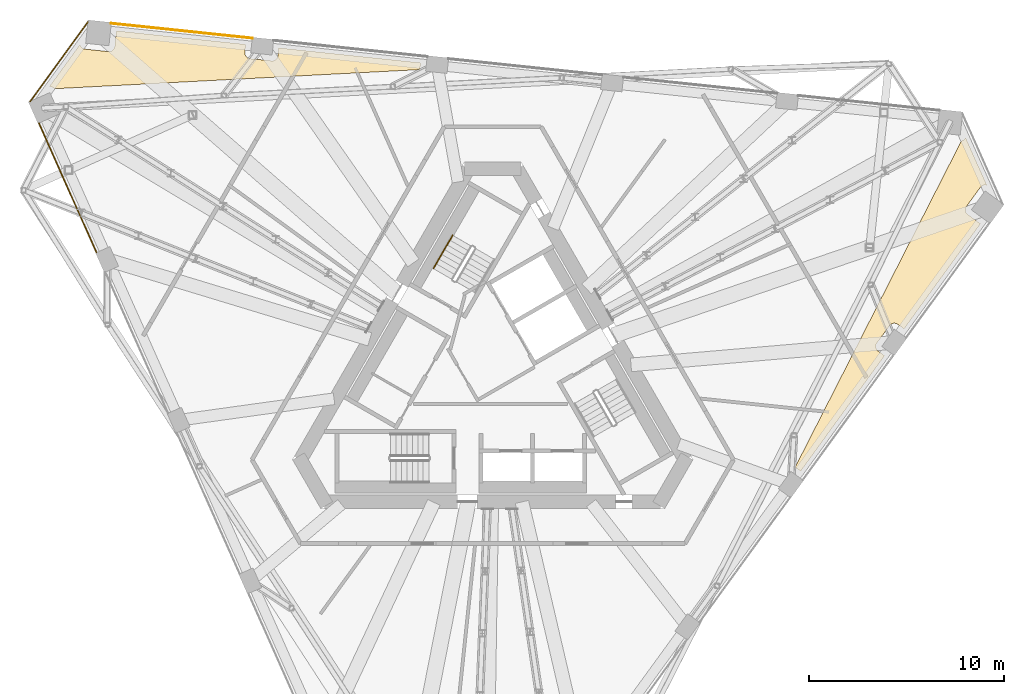
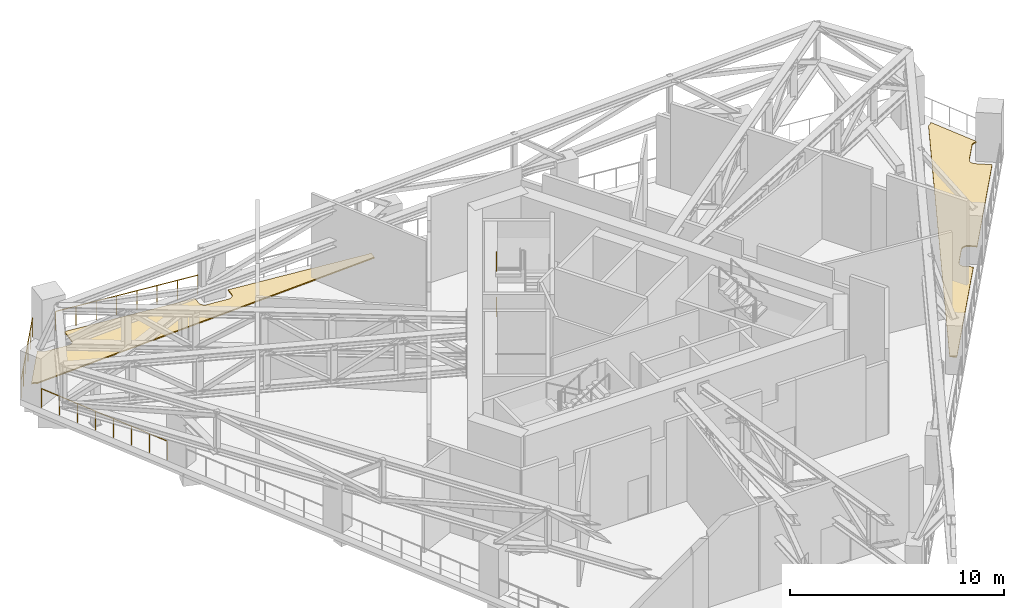
# One storey, part 18 of 20: 5 railings, 4 coverings.
"""IFC4 building model written with IfcOpenShell, lengths in metres."""

from ifc_helpers import new_model, si_unit, direction, frame, origin, origin_2d, place, context, subcontext, project, spatial, polyline, circle, outline, extrude, material, layer, layer_set, type_object, element, save


model = new_model("IFC4")

# Units and contexts
model_context = context("Model", 3, precision=1e-05, world=origin(), true_north=direction((0.0, 1.0)))
body_context = subcontext(model_context, "Body", "Model", "MODEL_VIEW")
ifc_project = project(units=[si_unit("LENGTHUNIT", "METRE"), si_unit("AREAUNIT", "SQUARE_METRE"), si_unit("VOLUMEUNIT", "CUBIC_METRE"), si_unit("PLANEANGLEUNIT", "RADIAN"), si_unit("MASSUNIT", "GRAM", prefix="KILO")], contexts=[model_context])

# Site, building, storey
site_placement = place(None, origin())
site = spatial("IfcSite", under=ifc_project, at=site_placement, CompositionType="ELEMENT")
building_placement = place(site_placement, origin())
building = spatial("IfcBuilding", under=site, at=building_placement, Name="Tramontana Tower", CompositionType="ELEMENT")
storey_placement = place(building_placement, frame((0.0, 0.0, 269.199951171875)))
storey = spatial("IfcBuildingStorey", under=building, at=storey_placement, Name="L63", CompositionType="ELEMENT", Elevation=269.199951171875)

# Railings
ifc_material_1 = material(Name="Stainless steel rail and posts", Category="steel")
railing_type_1 = type_object("IfcRailingType", Name="GD2 Terrace guard 1100", PredefinedType="GUARDRAIL", material=ifc_material_1)
railing_1_placement = place(storey_placement, frame((-20.731201171875, 18.16650390625, 0.0)))
element("IfcRailing", 1, at=railing_1_placement, inside=storey, type_object=railing_type_1, Name="Edge guard L63 1", PredefinedType="GUARDRAIL", context=body_context, shape_type="SweptSolid", body=[
    extrude(circle(Radius=0.02392578125, at=origin_2d()), frame((0.0, 0.0, 1.076171875), z_axis=(-0.587807507885, -0.809000824273, 0.0), x_axis=(0.809000824273, -0.587807507885, 0.0)), (0.0, 0.0, 1.0), 5.023193359375),
    extrude(circle(Radius=0.02099609375, at=origin_2d()), origin(), (0.0, 0.0, 1.0), 1.052001953125),
    extrude(circle(Radius=0.02099609375, at=origin_2d()), frame((-0.590576171875, -0.812744140625, 0.0)), (0.0, 0.0, 1.0), 1.052001953125),
    extrude(circle(Radius=0.02099609375, at=origin_2d()), frame((-1.18115234375, -1.62548828125, 0.0)), (0.0, 0.0, 1.0), 1.052001953125),
    extrude(circle(Radius=0.02099609375, at=origin_2d()), frame((-1.771484375, -2.438232421875, 0.0)), (0.0, 0.0, 1.0), 1.052001953125),
    extrude(circle(Radius=0.02099609375, at=origin_2d()), frame((-2.362060546875, -3.2509765625, 0.0)), (0.0, 0.0, 1.0), 1.052001953125),
    extrude(circle(Radius=0.02099609375, at=origin_2d()), frame((-2.95263671875, -4.063720703125, 0.0)), (0.0, 0.0, 1.0), 1.052001953125),
])
railing_2_placement = place(storey_placement, frame((-23.2412109375, 12.986328125, 0.0)))
element("IfcRailing", 2, at=railing_2_placement, inside=storey, type_object=railing_type_1, Name="Edge guard L63 2", PredefinedType="GUARDRAIL", context=body_context, shape_type="SweptSolid", body=[
    extrude(circle(Radius=0.02392578125, at=origin_2d()), frame((0.0, 0.0, 1.076171875), z_axis=(0.406715873332, -0.913554704645, 0.0), x_axis=(0.913554704645, 0.406715873332, 0.0)), (0.0, 0.0, 1.0), 7.256591796875),
    extrude(circle(Radius=0.02099609375, at=origin_2d()), origin(), (0.0, 0.0, 1.0), 1.052001953125),
    extrude(circle(Radius=0.02099609375, at=origin_2d()), frame((0.421630859375, -0.947021484375, 0.0)), (0.0, 0.0, 1.0), 1.052001953125),
    extrude(circle(Radius=0.02099609375, at=origin_2d()), frame((0.84326171875, -1.89404296875, 0.0)), (0.0, 0.0, 1.0), 1.052001953125),
    extrude(circle(Radius=0.02099609375, at=origin_2d()), frame((1.264892578125, -2.841064453125, 0.0)), (0.0, 0.0, 1.0), 1.052001953125),
    extrude(circle(Radius=0.02099609375, at=origin_2d()), frame((1.6865234375, -3.788330078125, 0.0)), (0.0, 0.0, 1.0), 1.052001953125),
    extrude(circle(Radius=0.02099609375, at=origin_2d()), frame((2.108154296875, -4.7353515625, 0.0)), (0.0, 0.0, 1.0), 1.052001953125),
    extrude(circle(Radius=0.02099609375, at=origin_2d()), frame((2.52978515625, -5.682373046875, 0.0)), (0.0, 0.0, 1.0), 1.052001953125),
    extrude(circle(Radius=0.02099609375, at=origin_2d()), frame((2.951416015625, -6.62939453125, 0.0)), (0.0, 0.0, 1.0), 1.052001953125),
])
railing_3_placement = place(storey_placement, frame((-12.315673828125, 17.332275390625, 0.0)))
element("IfcRailing", 3, at=railing_3_placement, inside=storey, type_object=railing_type_1, Name="Edge guard L63 4", PredefinedType="GUARDRAIL", context=body_context, shape_type="SweptSolid", body=[
    extrude(circle(Radius=0.02392578125, at=origin_2d()), frame((0.0, 0.0, 1.076171875), z_axis=(-0.994521847449, 0.104528919185, 0.0), x_axis=(-0.104528919185, -0.994521847449, 0.0)), (0.0, 0.0, 1.0), 7.2568359375),
    extrude(circle(Radius=0.02099609375, at=origin_2d()), origin(), (0.0, 0.0, 1.0), 1.052001953125),
    extrude(circle(Radius=0.02099609375, at=origin_2d()), frame((-1.031005859375, 0.1083984375, 0.0)), (0.0, 0.0, 1.0), 1.052001953125),
    extrude(circle(Radius=0.02099609375, at=origin_2d()), frame((-2.06201171875, 0.216796875, 0.0)), (0.0, 0.0, 1.0), 1.052001953125),
    extrude(circle(Radius=0.02099609375, at=origin_2d()), frame((-3.093017578125, 0.3251953125, 0.0)), (0.0, 0.0, 1.0), 1.052001953125),
    extrude(circle(Radius=0.02099609375, at=origin_2d()), frame((-4.1240234375, 0.433349609375, 0.0)), (0.0, 0.0, 1.0), 1.052001953125),
    extrude(circle(Radius=0.02099609375, at=origin_2d()), frame((-5.155029296875, 0.541748046875, 0.0)), (0.0, 0.0, 1.0), 1.052001953125),
    extrude(circle(Radius=0.02099609375, at=origin_2d()), frame((-6.18603515625, 0.650146484375, 0.0)), (0.0, 0.0, 1.0), 1.052001953125),
    extrude(circle(Radius=0.02099609375, at=origin_2d()), frame((-7.217041015625, 0.758544921875, 0.0)), (0.0, 0.0, 1.0), 1.052001953125),
])

# Coverings
ifc_material_2 = material(Name="Limestone paving 60", Category="masonry")
ifc_layer_1 = layer(ifc_material_2, 0.06005859375)
ifc_layer_set_1 = layer_set([ifc_layer_1], Name="PV1 Terrace paving 60")
covering_type_1 = type_object("IfcCoveringType", Name="PV1 Terrace paving 60", PredefinedType="FLOORING", material=ifc_layer_set_1)
covering_1_placement = place(storey_placement, frame((0.0, 0.0, 0.010009765625)))
element("IfcCovering", 4, at=covering_1_placement, inside=storey, type_object=covering_type_1, Name="Terrace paving L63 1", PredefinedType="FLOORING", context=body_context, shape_type="SweptSolid", body=[
    extrude(outline(polyline([(-21.139404296875, 17.009521484375), (-21.134033203125, 16.9873046875), (-21.124267578125, 16.95947265625), (-21.11181640625, 16.932861328125), (-21.096923828125, 16.907470703125), (-21.079345703125, 16.8837890625), (-21.059814453125, 16.86181640625), (-21.0380859375, 16.841796875), (-21.0146484375, 16.82421875), (-20.989501953125, 16.808837890625), (-20.962890625, 16.796142578125), (-20.935302734375, 16.7861328125), (-20.90673828125, 16.77880859375), (-20.877685546875, 16.774169921875), (-19.684326171875, 16.648681640625), (-19.65478515625, 16.647216796875), (-19.62548828125, 16.6484375), (-19.59619140625, 16.652587890625), (-19.567626953125, 16.659423828125), (-19.539794921875, 16.669189453125), (-19.51318359375, 16.681640625), (-19.48779296875, 16.696533203125), (-19.464111328125, 16.7138671875), (-19.442138671875, 16.733642578125), (-19.422119140625, 16.75537109375), (-19.404541015625, 16.77880859375), (-19.38916015625, 16.803955078125), (-19.37646484375, 16.83056640625), (-19.366455078125, 16.858154296875), (-19.359130859375, 16.88671875), (-19.3544921875, 16.915771484375), (-19.27099609375, 17.71142578125), (-12.650634765625, 17.015625), (-12.6923828125, 16.61767578125), (-12.694091796875, 16.58837890625), (-12.69287109375, 16.558837890625), (-12.688720703125, 16.52978515625), (-12.681884765625, 16.501220703125), (-12.672119140625, 16.473388671875), (-12.65966796875, 16.44677734375), (-12.644775390625, 16.42138671875), (-12.627197265625, 16.397705078125), (-12.607666015625, 16.375732421875), (-12.5859375, 16.355712890625), (-12.5625, 16.338134765625), (-12.537353515625, 16.32275390625), (-12.5107421875, 16.31005859375), (-12.483154296875, 16.2998046875), (-12.45458984375, 16.29248046875), (-12.425537109375, 16.2880859375), (-11.33154296875, 16.173095703125), (-11.30224609375, 16.17138671875), (-11.272705078125, 16.172607421875), (-11.24365234375, 16.1767578125), (-11.21484375, 16.183837890625), (-11.187255859375, 16.193603515625), (-11.160400390625, 16.205810546875), (-11.13525390625, 16.220947265625), (-11.111328125, 16.23828125), (-11.08935546875, 16.2578125), (-11.069580078125, 16.279541015625), (-11.0517578125, 16.30322265625), (-11.03662109375, 16.328369140625), (-11.023681640625, 16.354736328125), (-11.013671875, 16.382568359375), (-11.00634765625, 16.410888671875), (-11.001708984375, 16.43994140625), (-10.9599609375, 16.837890625), (-3.693359375, 16.07421875), (-3.72998046875, 15.726318359375), (-22.450927734375, 14.7451171875), (-22.451904296875, 14.74658203125), (-22.472412109375, 14.767822265625), (-22.49462890625, 14.787109375), (-22.518798828125, 14.803955078125), (-22.54443359375, 14.818359375), (-22.5712890625, 14.830322265625), (-22.599365234375, 14.839599609375), (-22.6279296875, 14.845947265625), (-22.6572265625, 14.849609375), (-22.686767578125, 14.85009765625), (-22.70947265625, 14.848388671875), (-21.139404296875, 17.009521484375)])), origin(), (0.0, 0.0, 1.0), 0.06005859375),
])
covering_2_placement = place(storey_placement, frame((0.0, 0.0, 0.010009765625)))
element("IfcCovering", 5, at=covering_2_placement, inside=storey, type_object=covering_type_1, Name="Terrace paving L63 3", PredefinedType="FLOORING", context=body_context, shape_type="SweptSolid", body=[
    extrude(outline(polyline([(25.30029296875, 9.802490234375), (25.278564453125, 9.808837890625), (25.24951171875, 9.814208984375), (25.22021484375, 9.81689453125), (25.190673828125, 9.816650390625), (25.161376953125, 9.8134765625), (25.132568359375, 9.807373046875), (25.1044921875, 9.798583984375), (25.077392578125, 9.787109375), (25.0517578125, 9.77294921875), (25.02734375, 9.75634765625), (25.0048828125, 9.737548828125), (24.984130859375, 9.71630859375), (24.9658203125, 9.693359375), (24.26025390625, 8.72265625), (24.244140625, 8.697998046875), (24.230712890625, 8.671875), (24.2197265625, 8.64453125), (24.21142578125, 8.616455078125), (24.205810546875, 8.58740234375), (24.203369140625, 8.55810546875), (24.20361328125, 8.528564453125), (24.206787109375, 8.499267578125), (24.212890625, 8.470458984375), (24.2216796875, 8.4423828125), (24.233154296875, 8.415283203125), (24.247314453125, 8.3896484375), (24.263916015625, 8.365234375), (24.28271484375, 8.3427734375), (24.3037109375, 8.322021484375), (24.32666015625, 8.3037109375), (24.973876953125, 7.83349609375), (21.061279296875, 2.447998046875), (20.737548828125, 2.68310546875), (20.713134765625, 2.69921875), (20.68701171875, 2.712890625), (20.65966796875, 2.723876953125), (20.63134765625, 2.732177734375), (20.6025390625, 2.737548828125), (20.572998046875, 2.740234375), (20.543701171875, 2.739990234375), (20.514404296875, 2.73681640625), (20.485595703125, 2.730712890625), (20.45751953125, 2.721923828125), (20.430419921875, 2.71044921875), (20.404541015625, 2.6962890625), (20.38037109375, 2.6796875), (20.357666015625, 2.66064453125), (20.337158203125, 2.6396484375), (20.318603515625, 2.61669921875), (19.672119140625, 1.726806640625), (19.656005859375, 1.7021484375), (19.642333984375, 1.676025390625), (19.63134765625, 1.64892578125), (19.623046875, 1.62060546875), (19.61767578125, 1.591552734375), (19.614990234375, 1.562255859375), (19.615234375, 1.532958984375), (19.618408203125, 1.503662109375), (19.62451171875, 1.474853515625), (19.63330078125, 1.44677734375), (19.644775390625, 1.419677734375), (19.658935546875, 1.393798828125), (19.675537109375, 1.369384765625), (19.6943359375, 1.346923828125), (19.715576171875, 1.326171875), (19.738525390625, 1.307861328125), (20.06201171875, 1.07275390625), (15.767333984375, -4.838623046875), (15.484375, -4.633056640625), (23.9951171875, 12.0703125), (23.996826171875, 12.07080078125), (24.025634765625, 12.07763671875), (24.05322265625, 12.08740234375), (24.080078125, 12.099853515625), (24.10546875, 12.11474609375), (24.129150390625, 12.132080078125), (24.151123046875, 12.15185546875), (24.1708984375, 12.17333984375), (24.188720703125, 12.197021484375), (24.203857421875, 12.22216796875), (24.2138671875, 12.24267578125), (25.30029296875, 9.802490234375)])), origin(), (0.0, 0.0, 1.0), 0.06005859375),
])

# Railings
ifc_material_3 = material(Name="Painted steel", Category="steel")
railing_type_2 = type_object("IfcRailingType", Name="STAIR HANDRAIL 900", PredefinedType="HANDRAIL", material=ifc_material_3)
for number, where, name in (
    (6, (-2.056640625, 7.238037109375, 1.462646484375), "L63 ST1 stair handrail 2"),
    (7, (-2.056640625, 7.238037109375, 4.0625), "L63 ST1 stair handrail 4"),
):
    element("IfcRailing", number, at=place(storey_placement, frame(where)), inside=storey, type_object=railing_type_2, Name=name, PredefinedType="HANDRAIL", context=body_context, shape_type="SweptSolid", body=[
        extrude(circle(Radius=0.02392578125, at=origin_2d()), frame((0.0, 0.0, 0.8759765625), z_axis=(-0.432431929651, -0.749053115811, 0.501918375746), x_axis=(0.866042469362, -0.499970440388, 0.0)), (0.0, 0.0, 1.0), 2.26611328125),
        extrude(circle(Radius=0.02099609375, at=origin_2d()), origin(), (0.0, 0.0, 1.0), 0.851806640625),
        extrude(circle(Radius=0.02099609375, at=origin_2d()), frame((-0.489990234375, -0.8486328125, 0.56884765625)), (0.0, 0.0, 1.0), 0.851806640625),
        extrude(circle(Radius=0.02099609375, at=origin_2d()), frame((-0.97998046875, -1.697509765625, 1.137451171875)), (0.0, 0.0, 1.0), 0.851806640625),
    ])

# Coverings
ifc_material_4 = material(Name="Bituminous waterproofing membrane")
ifc_layer_2 = layer(ifc_material_4, 0.010009765625)
ifc_layer_set_2 = layer_set([ifc_layer_2], Name="WP1 Terrace waterproofing membrane 10")
covering_type_2 = type_object("IfcCoveringType", Name="WP1 Terrace waterproofing membrane 10", PredefinedType="MEMBRANE", material=ifc_layer_set_2)
covering_3_placement = place(storey_placement, origin())
element("IfcCovering", 8, at=covering_3_placement, inside=storey, type_object=covering_type_2, Name="Terrace membrane L63 1", PredefinedType="MEMBRANE", context=body_context, shape_type="SweptSolid", body=[
    extrude(outline(polyline([(-21.139404296875, 17.009521484375), (-21.134033203125, 16.9873046875), (-21.124267578125, 16.95947265625), (-21.11181640625, 16.932861328125), (-21.096923828125, 16.907470703125), (-21.079345703125, 16.8837890625), (-21.059814453125, 16.86181640625), (-21.0380859375, 16.841796875), (-21.0146484375, 16.82421875), (-20.989501953125, 16.808837890625), (-20.962890625, 16.796142578125), (-20.935302734375, 16.7861328125), (-20.90673828125, 16.77880859375), (-20.877685546875, 16.774169921875), (-19.684326171875, 16.648681640625), (-19.65478515625, 16.647216796875), (-19.62548828125, 16.6484375), (-19.59619140625, 16.652587890625), (-19.567626953125, 16.659423828125), (-19.539794921875, 16.669189453125), (-19.51318359375, 16.681640625), (-19.48779296875, 16.696533203125), (-19.464111328125, 16.7138671875), (-19.442138671875, 16.733642578125), (-19.422119140625, 16.75537109375), (-19.404541015625, 16.77880859375), (-19.38916015625, 16.803955078125), (-19.37646484375, 16.83056640625), (-19.366455078125, 16.858154296875), (-19.359130859375, 16.88671875), (-19.3544921875, 16.915771484375), (-19.27099609375, 17.71142578125), (-12.650634765625, 17.015625), (-12.6923828125, 16.61767578125), (-12.694091796875, 16.58837890625), (-12.69287109375, 16.558837890625), (-12.688720703125, 16.52978515625), (-12.681884765625, 16.501220703125), (-12.672119140625, 16.473388671875), (-12.65966796875, 16.44677734375), (-12.644775390625, 16.42138671875), (-12.627197265625, 16.397705078125), (-12.607666015625, 16.375732421875), (-12.5859375, 16.355712890625), (-12.5625, 16.338134765625), (-12.537353515625, 16.32275390625), (-12.5107421875, 16.31005859375), (-12.483154296875, 16.2998046875), (-12.45458984375, 16.29248046875), (-12.425537109375, 16.2880859375), (-11.33154296875, 16.173095703125), (-11.30224609375, 16.17138671875), (-11.272705078125, 16.172607421875), (-11.24365234375, 16.1767578125), (-11.21484375, 16.183837890625), (-11.187255859375, 16.193603515625), (-11.160400390625, 16.205810546875), (-11.13525390625, 16.220947265625), (-11.111328125, 16.23828125), (-11.08935546875, 16.2578125), (-11.069580078125, 16.279541015625), (-11.0517578125, 16.30322265625), (-11.03662109375, 16.328369140625), (-11.023681640625, 16.354736328125), (-11.013671875, 16.382568359375), (-11.00634765625, 16.410888671875), (-11.001708984375, 16.43994140625), (-10.9599609375, 16.837890625), (-3.693359375, 16.07421875), (-3.72998046875, 15.726318359375), (-22.450927734375, 14.7451171875), (-22.451904296875, 14.74658203125), (-22.472412109375, 14.767822265625), (-22.49462890625, 14.787109375), (-22.518798828125, 14.803955078125), (-22.54443359375, 14.818359375), (-22.5712890625, 14.830322265625), (-22.599365234375, 14.839599609375), (-22.6279296875, 14.845947265625), (-22.6572265625, 14.849609375), (-22.686767578125, 14.85009765625), (-22.70947265625, 14.848388671875), (-21.139404296875, 17.009521484375)])), origin(), (0.0, 0.0, 1.0), 0.010009765625),
])
covering_4_placement = place(storey_placement, origin())
element("IfcCovering", 9, at=covering_4_placement, inside=storey, type_object=covering_type_2, Name="Terrace membrane L63 3", PredefinedType="MEMBRANE", context=body_context, shape_type="SweptSolid", body=[
    extrude(outline(polyline([(25.30029296875, 9.802490234375), (25.278564453125, 9.808837890625), (25.24951171875, 9.814208984375), (25.22021484375, 9.81689453125), (25.190673828125, 9.816650390625), (25.161376953125, 9.8134765625), (25.132568359375, 9.807373046875), (25.1044921875, 9.798583984375), (25.077392578125, 9.787109375), (25.0517578125, 9.77294921875), (25.02734375, 9.75634765625), (25.0048828125, 9.737548828125), (24.984130859375, 9.71630859375), (24.9658203125, 9.693359375), (24.26025390625, 8.72265625), (24.244140625, 8.697998046875), (24.230712890625, 8.671875), (24.2197265625, 8.64453125), (24.21142578125, 8.616455078125), (24.205810546875, 8.58740234375), (24.203369140625, 8.55810546875), (24.20361328125, 8.528564453125), (24.206787109375, 8.499267578125), (24.212890625, 8.470458984375), (24.2216796875, 8.4423828125), (24.233154296875, 8.415283203125), (24.247314453125, 8.3896484375), (24.263916015625, 8.365234375), (24.28271484375, 8.3427734375), (24.3037109375, 8.322021484375), (24.32666015625, 8.3037109375), (24.973876953125, 7.83349609375), (21.061279296875, 2.447998046875), (20.737548828125, 2.68310546875), (20.713134765625, 2.69921875), (20.68701171875, 2.712890625), (20.65966796875, 2.723876953125), (20.63134765625, 2.732177734375), (20.6025390625, 2.737548828125), (20.572998046875, 2.740234375), (20.543701171875, 2.739990234375), (20.514404296875, 2.73681640625), (20.485595703125, 2.730712890625), (20.45751953125, 2.721923828125), (20.430419921875, 2.71044921875), (20.404541015625, 2.6962890625), (20.38037109375, 2.6796875), (20.357666015625, 2.66064453125), (20.337158203125, 2.6396484375), (20.318603515625, 2.61669921875), (19.672119140625, 1.726806640625), (19.656005859375, 1.7021484375), (19.642333984375, 1.676025390625), (19.63134765625, 1.64892578125), (19.623046875, 1.62060546875), (19.61767578125, 1.591552734375), (19.614990234375, 1.562255859375), (19.615234375, 1.532958984375), (19.618408203125, 1.503662109375), (19.62451171875, 1.474853515625), (19.63330078125, 1.44677734375), (19.644775390625, 1.419677734375), (19.658935546875, 1.393798828125), (19.675537109375, 1.369384765625), (19.6943359375, 1.346923828125), (19.715576171875, 1.326171875), (19.738525390625, 1.307861328125), (20.06201171875, 1.07275390625), (15.767333984375, -4.838623046875), (15.484375, -4.633056640625), (23.9951171875, 12.0703125), (23.996826171875, 12.07080078125), (24.025634765625, 12.07763671875), (24.05322265625, 12.08740234375), (24.080078125, 12.099853515625), (24.10546875, 12.11474609375), (24.129150390625, 12.132080078125), (24.151123046875, 12.15185546875), (24.1708984375, 12.17333984375), (24.188720703125, 12.197021484375), (24.203857421875, 12.22216796875), (24.2138671875, 12.24267578125), (25.30029296875, 9.802490234375)])), origin(), (0.0, 0.0, 1.0), 0.010009765625),
])

save(model, "model.ifc")
